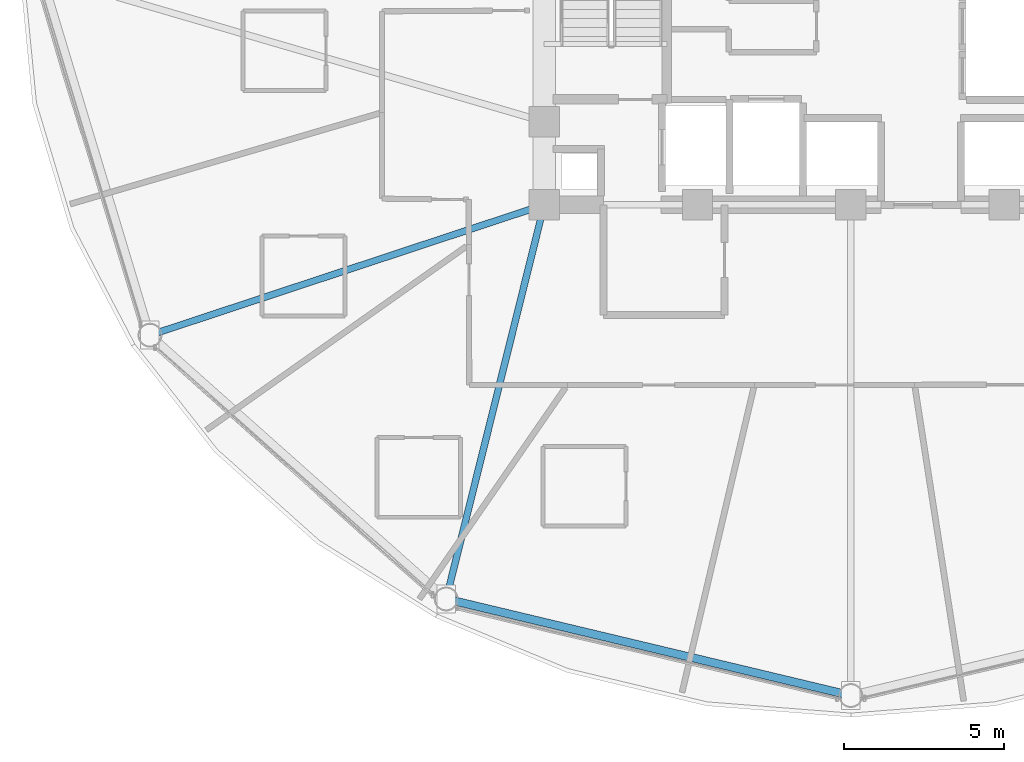
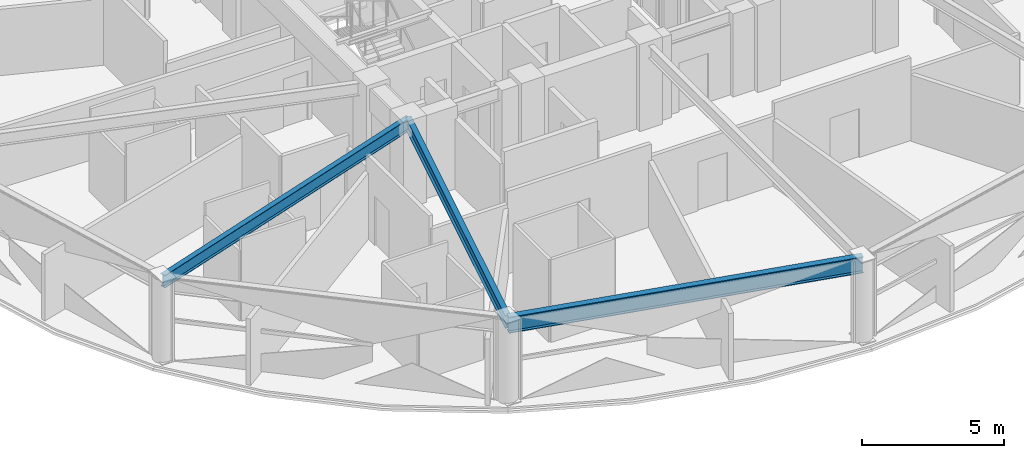
# One storey, part 4 of 31: 3 beams.
"""IFC4 building model written with IfcOpenShell, lengths in metres."""

from ifc_helpers import new_model, si_unit, direction, frame, origin, origin_2d, place, context, subcontext, project, spatial, i_section, extrude, material, material_profile, profile_set, type_object, element, save


model = new_model("IFC4")

# Units and contexts
model_context = context("Model", 3, precision=1e-05, world=origin(), true_north=direction((0.0, 1.0)))
body_context = subcontext(model_context, "Body", "Model", "MODEL_VIEW")
ifc_project = project(units=[si_unit("LENGTHUNIT", "METRE"), si_unit("AREAUNIT", "SQUARE_METRE"), si_unit("VOLUMEUNIT", "CUBIC_METRE"), si_unit("PLANEANGLEUNIT", "RADIAN"), si_unit("MASSUNIT", "GRAM", prefix="KILO")], contexts=[model_context])

# Site, building, storey
site_placement = place(None, origin())
site = spatial("IfcSite", under=ifc_project, at=site_placement, CompositionType="ELEMENT")
building_placement = place(site_placement, origin())
building = spatial("IfcBuilding", under=site, at=building_placement, Name="Vantalir Tower", CompositionType="ELEMENT")
storey_placement = place(building_placement, frame((0.0, 0.0, 115.949951171875)))
storey = spatial("IfcBuildingStorey", under=building, at=storey_placement, Name="L28", CompositionType="ELEMENT", Elevation=115.949951171875)

# Beams
ifc_material_1 = material(Name="Steel S355", Category="steel")
ifc_material_profile_1 = material_profile(ifc_material_1, i_section(OverallWidth=0.2109375, OverallDepth=0.5390625, WebThickness=0.01171875, FlangeThickness=0.018798828125, at=origin_2d()), Name="Steel S355")
ifc_profile_set_1 = profile_set([ifc_material_profile_1], Name="Steel S355")
beam_type_1 = type_object("IfcBeamType", Name="BM-RB-533x210", PredefinedType="BEAM", material=ifc_profile_set_1)
beam_1_placement = place(storey_placement, frame((9.554931640625, 13.717041015625, 3.300048828125), z_axis=(0.949418619953, 0.314013190944, 0.0), x_axis=(-0.314013190944, 0.949418619953, 0.0)))
element("IfcBeam", 1, at=beam_1_placement, inside=storey, type_object=beam_type_1, Name="L28 Radial Floor Beam 08", PredefinedType="BEAM", context=body_context, shape_type="SweptSolid", body=[
    extrude(i_section(OverallWidth=0.2109375, OverallDepth=0.5390625, WebThickness=0.01171875, FlangeThickness=0.018798828125, at=origin_2d()), origin(), (0.0, 0.0, 1.0), 13.002685546875),
])
beam_2_placement = place(storey_placement, frame((18.830078125, 5.45703125, 3.300048828125), z_axis=(0.241356653408, 0.970436482134, 0.0), x_axis=(-0.970436482134, 0.241356653408, 0.0)))
element("IfcBeam", 2, at=beam_2_placement, inside=storey, type_object=beam_type_1, Name="L28 Radial Floor Beam 09", PredefinedType="BEAM", context=body_context, shape_type="SweptSolid", body=[
    extrude(i_section(OverallWidth=0.2109375, OverallDepth=0.5390625, WebThickness=0.01171875, FlangeThickness=0.018798828125, at=origin_2d()), origin(), (0.0, 0.0, 1.0), 12.718994140625),
])
ifc_material_2 = material(Name="Steel S460", Category="steel")
ifc_material_profile_2 = material_profile(ifc_material_2, i_section(OverallWidth=0.256103515625, OverallDepth=0.693115234375, WebThickness=0.014404296875, FlangeThickness=0.023681640625, at=origin_2d()), Name="Steel S460")
ifc_profile_set_2 = profile_set([ifc_material_profile_2], Name="Steel S460")
beam_type_2 = type_object("IfcBeamType", Name="BM-RG-686x254", PredefinedType="USERDEFINED", material=ifc_profile_set_2)
beam_3_placement = place(storey_placement, frame((18.830078125, 5.45703125, 3.22314453125), z_axis=(0.972697106811, -0.232078302307, 0.0), x_axis=(0.232078302307, 0.972697106811, 0.0)))
element("IfcBeam", 3, at=beam_3_placement, inside=storey, type_object=beam_type_2, Name="L28 Circumferential Ring Girder 09", ObjectType="GIRDER", PredefinedType="USERDEFINED", context=body_context, shape_type="SweptSolid", body=[
    extrude(i_section(OverallWidth=0.256103515625, OverallDepth=0.693115234375, WebThickness=0.014404296875, FlangeThickness=0.023681640625, at=origin_2d()), origin(), (0.0, 0.0, 1.0), 13.025634765625),
])

save(model, "model.ifc")
